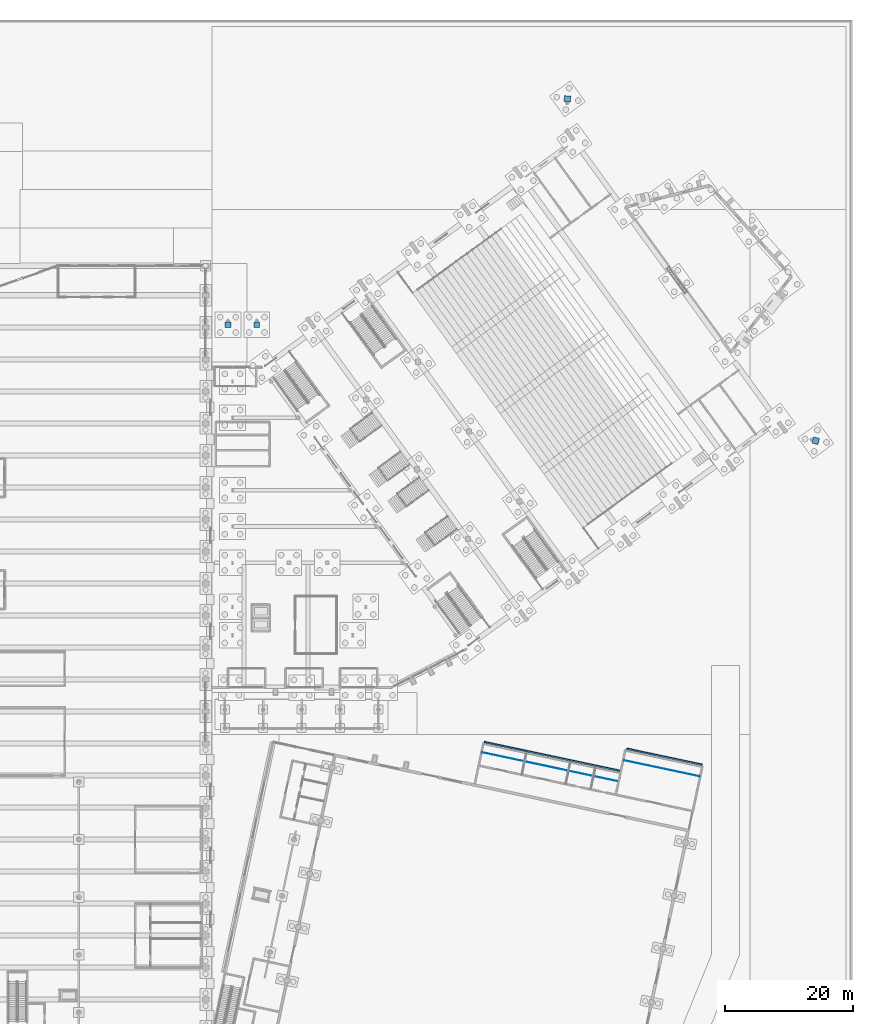
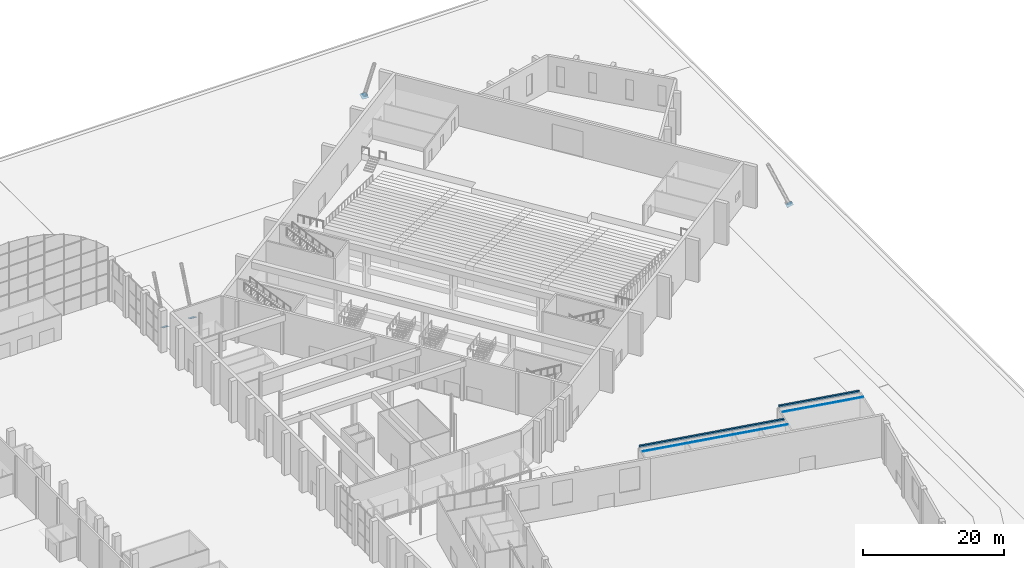
# One storey, part 199 of 239: 8 discrete accessories.
"""IFC4 building model written with IfcOpenShell, lengths in metres."""

from ifc_helpers import new_model, si_unit, direction, frame, origin, origin_2d, place, context, subcontext, project, spatial, polyline, rectangle, outline, extrude, material, layer, layer_set, type_object, element, save


model = new_model("IFC4")

# Units and contexts
model_context = context("Model", 3, precision=1e-05, world=origin(), true_north=direction((0.0, 1.0)))
body_context = subcontext(model_context, "Body", "Model", "MODEL_VIEW")
ifc_project = project(units=[si_unit("LENGTHUNIT", "METRE"), si_unit("AREAUNIT", "SQUARE_METRE"), si_unit("VOLUMEUNIT", "CUBIC_METRE"), si_unit("PLANEANGLEUNIT", "RADIAN"), si_unit("MASSUNIT", "GRAM", prefix="KILO")], contexts=[model_context])

# Site, building, storey
site_placement = place(None, origin())
site = spatial("IfcSite", under=ifc_project, at=site_placement, CompositionType="ELEMENT")
building_placement = place(site_placement, origin())
building = spatial("IfcBuilding", under=site, at=building_placement, Name="Okhra Congress Centre", CompositionType="ELEMENT")
storey_placement = place(building_placement, origin())
storey = spatial("IfcBuildingStorey", under=building, at=storey_placement, Name="L00", CompositionType="ELEMENT", Elevation=0.0)

# Discrete accessories
ifc_material_1 = material(Name="Steel S355J2", Category="steel")
ifc_layer = layer(ifc_material_1, 0.02001953125)
ifc_layer_set = layer_set([ifc_layer], Name="Brace end connection plate 20 mm S355")
discrete_accessory_type_1 = type_object("IfcDiscreteAccessoryType", Name="Brace end connection plate 20 mm S355", PredefinedType="BRACKET", material=ifc_layer_set)
for number, where, z_axis, x_axis, name in (
    (1, (192.5, 206.39990234375, -0.300048828125), (0.0, -0.392438685048, -0.919778168081), (1.0, 0.0, 0.0), "Brace end connection plate"),
    (2, (197.0, 206.39990234375, -0.300048828125), (0.0, -0.392438685048, -0.919778168081), (1.0, 0.0, 0.0), "Brace end connection plate"),
):
    element("IfcDiscreteAccessory", number, at=place(storey_placement, frame(where, z_axis=z_axis, x_axis=x_axis)), inside=storey, type_object=discrete_accessory_type_1, Name=name, PredefinedType="BRACKET", context=body_context, shape_type="SweptSolid", body=[
        extrude(rectangle(XDim=0.9140625, YDim=0.9140625, at=origin_2d()), origin(), (0.0, 0.0, 1.0), 0.02001953125),
    ])
for number, where, z_axis, x_axis, name in (
    (3, (284.30517578125, 188.28515625, -0.300048828125), (0.380146390481, -0.098102294318, -0.919709009227), (0.249878019022, 0.968277323709, 0.0), "Brace end connection plate"),
    (4, (245.511474609375, 241.680419921875, -0.300048828125), (0.024520043366, 0.392320693859, -0.919501626232), (-0.998052578483, 0.062378286155, 0.0), "Brace end connection plate"),
):
    element("IfcDiscreteAccessory", number, at=place(storey_placement, frame(where, z_axis=z_axis, x_axis=x_axis)), inside=storey, type_object=discrete_accessory_type_1, Name=name, PredefinedType="BRACKET", context=body_context, shape_type="SweptSolid", body=[
        extrude(rectangle(XDim=1.01611328125, YDim=1.01611328125, at=origin_2d()), origin(), (0.0, 0.0, 1.0), 0.02001953125),
    ])
ifc_material_2 = material(Name="Stainless steel box gutter with self-regulating heating cable", Category="steel")
discrete_accessory_type_2 = type_object("IfcDiscreteAccessoryType", Name="Heated eaves gutter 300x300", PredefinedType="USERDEFINED", material=ifc_material_2)
discrete_accessory_1_placement = place(storey_placement, frame((243.090087890625, 138.950439453125, 4.33642578125), z_axis=(0.0, 0.0, 1.0), x_axis=(0.978147600734, -0.207911690818, 0.0)))
element("IfcDiscreteAccessory", 5, at=discrete_accessory_1_placement, inside=storey, type_object=discrete_accessory_type_2, Name="Heated eaves gutter", ObjectType="HEATED GUTTER", PredefinedType="USERDEFINED", context=body_context, shape_type="SweptSolid", body=[
    extrude(rectangle(XDim=21.60009765625, YDim=0.300048828125, at=origin_2d()), origin(), (0.0, 0.0, 1.0), 0.300048828125),
])
discrete_accessory_2_placement = place(storey_placement, frame((260.66259765625, 138.895751953125, 4.13525390625), z_axis=(0.0, 0.0, 1.0), x_axis=(0.978147600734, -0.207911690818, 0.0)))
element("IfcDiscreteAccessory", 6, at=discrete_accessory_2_placement, inside=storey, type_object=discrete_accessory_type_2, Name="Heated eaves gutter", ObjectType="HEATED GUTTER", PredefinedType="USERDEFINED", context=body_context, shape_type="SweptSolid", body=[
    extrude(rectangle(XDim=12.0, YDim=0.300048828125, at=origin_2d()), origin(), (0.0, 0.0, 1.0), 0.300048828125),
])
ifc_material_3 = material(Name="Stainless steel snow retention bar clamped to the standing seams", Category="steel")
discrete_accessory_type_3 = type_object("IfcDiscreteAccessoryType", Name="Snow guard bar 40x120", PredefinedType="USERDEFINED", material=ifc_material_3)
discrete_accessory_3_placement = place(storey_placement, frame((232.18310546875, 139.58203125, 4.74072265625), z_axis=(0.011388289152, 0.053578109938, 0.998498719581), x_axis=(0.978146787806, -0.207915515303, 3.02338e-07)))
element("IfcDiscreteAccessory", 7, at=discrete_accessory_3_placement, inside=storey, type_object=discrete_accessory_type_3, Name="Snow guard bar", ObjectType="SNOW GUARD", PredefinedType="USERDEFINED", context=body_context, shape_type="SweptSolid", body=[
    extrude(outline(polyline([(0.0, 0.0), (21.599958232610884, 0.0), (21.599905154022164, 0.04023356910215599), (-2.317964870467837e-06, 0.03999512224870324), (0.0, 0.0)])), origin(), (0.0, 0.0, -1.0), 0.1201171875),
])
discrete_accessory_4_placement = place(storey_placement, frame((254.4091796875, 138.333740234375, 4.550537109375), z_axis=(0.011388594243, 0.053578045308, 0.99849871957), x_axis=(0.978144687295, -0.207925396996, 5.44203e-07)))
element("IfcDiscreteAccessory", 8, at=discrete_accessory_4_placement, inside=storey, type_object=discrete_accessory_type_3, Name="Snow guard bar", ObjectType="SNOW GUARD", PredefinedType="USERDEFINED", context=body_context, shape_type="SweptSolid", body=[
    extrude(outline(polyline([(0.0, 0.0), (12.000058064715859, 0.0), (12.000004579743644, 0.04023356856397914), (-2.721935838653832e-06, 0.039995122223251765), (0.0, 0.0)])), origin(), (0.0, 0.0, -1.0), 0.1201171875),
])

save(model, "model.ifc")
